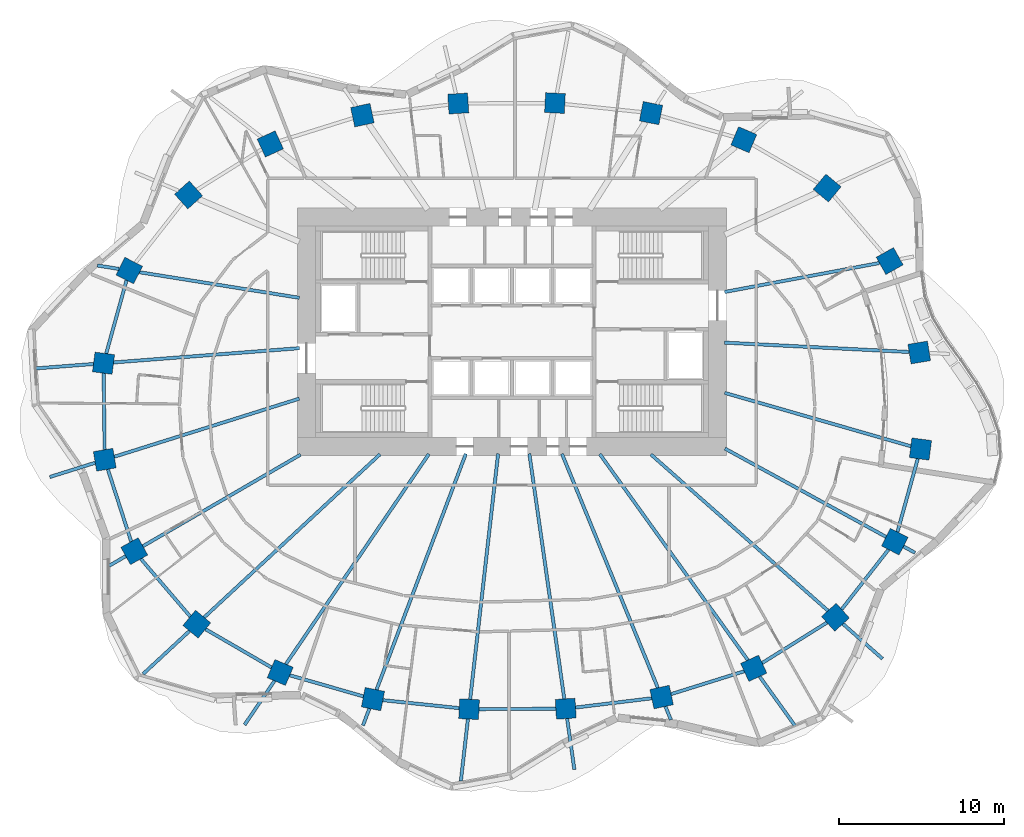
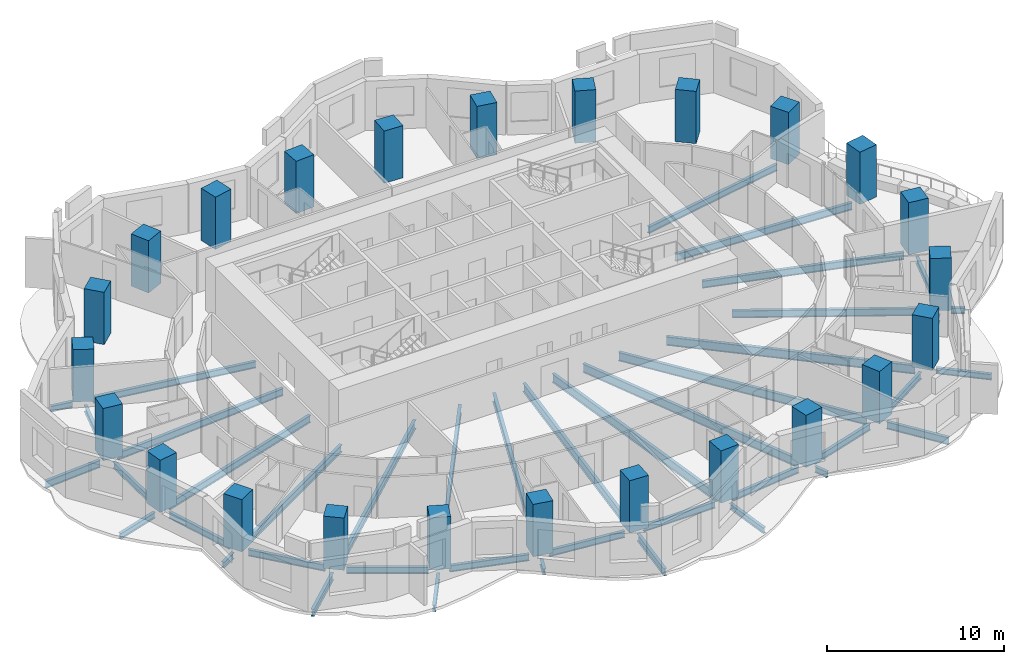
# One storey, part 1 of 13: 42 beams, 24 columns.
"""IFC4 building model written with IfcOpenShell, lengths in metres."""

from ifc_helpers import new_model, si_unit, direction, frame, origin, origin_2d, place, context, subcontext, project, spatial, rectangle, i_section, extrude, material, material_profile, profile_set, type_object, element, save


model = new_model("IFC4")

# Units and contexts
model_context = context("Model", 3, precision=1e-05, world=origin(), true_north=direction((0.0, 1.0)))
body_context = subcontext(model_context, "Body", "Model", "MODEL_VIEW")
ifc_project = project(units=[si_unit("LENGTHUNIT", "METRE"), si_unit("AREAUNIT", "SQUARE_METRE"), si_unit("VOLUMEUNIT", "CUBIC_METRE"), si_unit("PLANEANGLEUNIT", "RADIAN"), si_unit("MASSUNIT", "GRAM", prefix="KILO")], contexts=[model_context])

# Site, building, storey
site_placement = place(None, origin())
site = spatial("IfcSite", under=ifc_project, at=site_placement, CompositionType="ELEMENT")
building_placement = place(site_placement, origin())
building = spatial("IfcBuilding", under=site, at=building_placement, Name="Rubra Terraces Tower", CompositionType="ELEMENT")
storey_placement = place(building_placement, frame((0.0, 0.0, 85.199951171875)))
storey = spatial("IfcBuildingStorey", under=building, at=storey_placement, Name="L19", CompositionType="ELEMENT", Elevation=85.199951171875)

# Columns
ifc_material_1 = material(Name="Concrete C60", Category="concrete")
ifc_material_profile_1 = material_profile(ifc_material_1, rectangle(XDim=1.199951171875, YDim=1.199951171875, at=origin_2d()), Name="RC 1200x1200")
ifc_profile_set_1 = profile_set([ifc_material_profile_1], Name="Concrete C60")
column_type = type_object("IfcColumnType", Name="RING COLUMN RC 1200x1200 C60", PredefinedType="COLUMN", material=ifc_profile_set_1)
for number, where, z_axis, x_axis, name in (
    (1, (24.6689453125, 3.248046875, 0.0), (0.0, 0.0, 1.0), (-0.161559167715, 0.986863027642, 0.0), "column-L19-ring-01"),
    (2, (22.87890625, 8.787109375, 0.0), (0.0, 0.0, 1.0), (-0.48852601316, 0.872549330678, 0.0), "column-L19-ring-02"),
    (3, (19.092041015625, 13.208984375, 0.0), (0.0, 0.0, 1.0), (-0.76886986222, 0.63940529789, 0.0), "column-L19-ring-03"),
    (4, (14.0419921875, 16.135986328125, 0.0), (0.0, 0.0, 1.0), (-0.920167856842, 0.391524092789, 0.0), "column-L19-ring-04"),
    (5, (8.422119140625, 17.7490234375, 0.0), (0.0, 0.0, 1.0), (-0.981654668733, 0.19066754143, 0.0), "column-L19-ring-05"),
    (6, (2.60205078125, 18.35791015625, 0.0), (0.0, 0.0, 1.0), (-0.998764256028, 0.049698700995, 0.0), "column-L19-ring-06"),
    (7, (-3.25390625, 18.330078125, 0.0), (0.0, 0.0, 1.0), (-0.998031548759, -0.062713855578, 0.0), "column-L19-ring-07"),
    (8, (-9.06298828125, 17.625, 0.0), (0.0, 0.0, 1.0), (-0.977652674797, -0.210226657352, 0.0), "column-L19-ring-08"),
    (9, (-14.64306640625, 15.881103515625, 0.0), (0.0, 0.0, 1.0), (-0.908778580451, -0.417278673927, 0.0), "column-L19-ring-09"),
    (10, (-19.593017578125, 12.7900390625, 0.0), (0.0, 0.0, 1.0), (-0.744021317198, -0.668155879683, 0.0), "column-L19-ring-10"),
    (11, (-23.18505859375, 8.2099609375, 0.0), (0.0, 0.0, 1.0), (-0.451027931402, -0.892509834733, 0.0), "column-L19-ring-11"),
    (12, (-24.742919921875, 2.59912109375, 0.0), (0.0, 0.0, 1.0), (-0.128443684554, -0.991716804283, 0.0), "column-L19-ring-12"),
    (13, (-24.6689453125, -3.248046875, 0.0), (0.0, 0.0, 1.0), (0.161559167715, -0.986863027642, 0.0), "column-L19-ring-13"),
    (14, (-22.87890625, -8.787109375, 0.0), (0.0, 0.0, 1.0), (0.48852601316, -0.872549330678, 0.0), "column-L19-ring-14"),
    (15, (-19.092041015625, -13.208984375, 0.0), (0.0, 0.0, 1.0), (0.76886986222, -0.63940529789, 0.0), "column-L19-ring-15"),
    (16, (-14.0419921875, -16.135986328125, 0.0), (0.0, 0.0, 1.0), (0.920167856842, -0.391524092789, 0.0), "column-L19-ring-16"),
    (17, (-8.422119140625, -17.7490234375, 0.0), (0.0, 0.0, 1.0), (0.981654668733, -0.19066754143, 0.0), "column-L19-ring-17"),
    (18, (-2.60205078125, -18.35791015625, 0.0), (0.0, 0.0, 1.0), (0.998764256028, -0.049698700995, 0.0), "column-L19-ring-18"),
    (19, (3.25390625, -18.330078125, 0.0), (0.0, 0.0, 1.0), (0.998031548759, 0.062713855578, 0.0), "column-L19-ring-19"),
    (20, (9.06298828125, -17.625, 0.0), (0.0, 0.0, 1.0), (0.977652674797, 0.210226657352, 0.0), "column-L19-ring-20"),
    (21, (14.64306640625, -15.881103515625, 0.0), (0.0, 0.0, 1.0), (0.908778580451, 0.417278673927, 0.0), "column-L19-ring-21"),
    (22, (19.593017578125, -12.7900390625, 0.0), (0.0, 0.0, 1.0), (0.744021317198, 0.668155879683, 0.0), "column-L19-ring-22"),
    (23, (23.18505859375, -8.2099609375, 0.0), (0.0, 0.0, 1.0), (0.451027931402, 0.892509834733, 0.0), "column-L19-ring-23"),
    (24, (24.742919921875, -2.59912109375, 0.0), (0.0, 0.0, 1.0), (0.128443684554, 0.991716804283, 0.0), "column-L19-ring-24"),
):
    element("IfcColumn", number, at=place(storey_placement, frame(where, z_axis=z_axis, x_axis=x_axis)), inside=storey, type_object=column_type, Name=name, PredefinedType="COLUMN", context=body_context, shape_type="SweptSolid", body=[
        extrude(rectangle(XDim=1.199951171875, YDim=1.199951171875, at=origin_2d()), origin(), (0.0, 0.0, 1.0), 3.60009765625),
    ])

# Beams
ifc_material_2 = material(Name="Steel Q355B", Category="steel")
ifc_material_profile_2 = material_profile(ifc_material_2, i_section(OverallWidth=0.199951171875, OverallDepth=0.39990234375, WebThickness=0.008056640625, FlangeThickness=0.012939453125, at=origin_2d()), Name="HN 400x200x8x13")
ifc_profile_set_2 = profile_set([ifc_material_profile_2], Name="Steel Q355B")
beam_type_1 = type_object("IfcBeamType", Name="CANTILEVER BEAM HN 400x200x8x13", PredefinedType="BEAM", material=ifc_profile_set_2)
beam_1_placement = place(storey_placement, frame((-25.2470703125, -3.429931640625, -0.39990234375), z_axis=(-0.954045543107, -0.299661645322, 0.0), x_axis=(0.299661645322, -0.954045543107, 0.0)))
element("IfcBeam", 25, at=beam_1_placement, inside=storey, type_object=beam_type_1, Name="beam-L19-cant-13", PredefinedType="BEAM", context=body_context, shape_type="SweptSolid", body=[
    extrude(i_section(OverallWidth=0.199951171875, OverallDepth=0.39990234375, WebThickness=0.008056640625, FlangeThickness=0.012939453125, at=origin_2d()), origin(), (0.0, 0.0, 1.0), 2.886474609375),
])
beam_2_placement = place(storey_placement, frame((3.339111328125, -18.926025390625, -0.39990234375), z_axis=(0.141004134559, -0.990009007049, 0.0), x_axis=(0.990009007049, 0.141004134559, 0.0)))
element("IfcBeam", 26, at=beam_2_placement, inside=storey, type_object=beam_type_1, Name="beam-L19-cant-19", PredefinedType="BEAM", context=body_context, shape_type="SweptSolid", body=[
    extrude(i_section(OverallWidth=0.199951171875, OverallDepth=0.39990234375, WebThickness=0.008056640625, FlangeThickness=0.012939453125, at=origin_2d()), origin(), (0.0, 0.0, 1.0), 3.113037109375),
])
beam_3_placement = place(storey_placement, frame((20.0458984375, -13.18994140625, -0.39990234375), z_axis=(0.749889181916, -0.661563462447, 0.0), x_axis=(0.661563462447, 0.749889181916, 0.0)))
element("IfcBeam", 27, at=beam_3_placement, inside=storey, type_object=beam_type_1, Name="beam-L19-cant-22", PredefinedType="BEAM", context=body_context, shape_type="SweptSolid", body=[
    extrude(i_section(OverallWidth=0.199951171875, OverallDepth=0.39990234375, WebThickness=0.008056640625, FlangeThickness=0.012939453125, at=origin_2d()), origin(), (0.0, 0.0, 1.0), 3.192626953125),
])
ifc_material_profile_3 = material_profile(ifc_material_2, i_section(OverallWidth=0.198974609375, OverallDepth=0.446044921875, WebThickness=0.008056640625, FlangeThickness=0.011962890625, at=origin_2d()), Name="HN 446x199x8x12")
ifc_profile_set_3 = profile_set([ifc_material_profile_3], Name="Steel Q355B")
beam_type_2 = type_object("IfcBeamType", Name="CANTILEVER BEAM HN 446x199x8x12", PredefinedType="BEAM", material=ifc_profile_set_3)
beam_4_placement = place(storey_placement, frame((-14.385986328125, -16.64208984375, -0.4228515625), z_axis=(-0.562581591021, -0.826741769505, 0.0), x_axis=(0.826741769505, -0.562581591021, 0.0)))
element("IfcBeam", 28, at=beam_4_placement, inside=storey, type_object=beam_type_2, Name="beam-L19-cant-16", PredefinedType="BEAM", context=body_context, shape_type="SweptSolid", body=[
    extrude(i_section(OverallWidth=0.198974609375, OverallDepth=0.446044921875, WebThickness=0.008056640625, FlangeThickness=0.011962890625, at=origin_2d()), origin(), (0.0, 0.0, 1.0), 3.220947265625),
])
ifc_material_profile_4 = material_profile(ifc_material_2, i_section(OverallWidth=0.198974609375, OverallDepth=0.49609375, WebThickness=0.009033203125, FlangeThickness=0.013916015625, at=origin_2d()), Name="HN 496x199x9x14")
ifc_profile_set_4 = profile_set([ifc_material_profile_4], Name="Steel Q355B")
beam_type_3 = type_object("IfcBeamType", Name="CANTILEVER BEAM HN 496x199x9x14", PredefinedType="BEAM", material=ifc_profile_set_4)
beam_5_placement = place(storey_placement, frame((-25.35400390625, 2.552001953125, -0.447998046875), z_axis=(-0.997073018081, -0.076455193514, 0.0), x_axis=(0.076455193514, -0.997073018081, 0.0)))
element("IfcBeam", 29, at=beam_5_placement, inside=storey, type_object=beam_type_3, Name="beam-L19-cant-12", PredefinedType="BEAM", context=body_context, shape_type="SweptSolid", body=[
    extrude(i_section(OverallWidth=0.198974609375, OverallDepth=0.49609375, WebThickness=0.009033203125, FlangeThickness=0.013916015625, at=origin_2d()), origin(), (0.0, 0.0, 1.0), 3.7138671875),
])
beam_6_placement = place(storey_placement, frame((-19.535888671875, -13.6201171875, -0.447998046875), z_axis=(-0.733193505832, -0.680020060737, 0.0), x_axis=(0.680020060737, -0.733193505832, 0.0)))
element("IfcBeam", 30, at=beam_6_placement, inside=storey, type_object=beam_type_3, Name="beam-L19-cant-15", PredefinedType="BEAM", context=body_context, shape_type="SweptSolid", body=[
    extrude(i_section(OverallWidth=0.198974609375, OverallDepth=0.49609375, WebThickness=0.009033203125, FlangeThickness=0.013916015625, at=origin_2d()), origin(), (0.0, 0.0, 1.0), 3.82470703125),
])
beam_7_placement = place(storey_placement, frame((-2.669921875, -18.955078125, -0.447998046875), z_axis=(-0.113077962059, -0.993586118309, 0.0), x_axis=(0.993586118309, -0.113077962059, 0.0)))
element("IfcBeam", 31, at=beam_7_placement, inside=storey, type_object=beam_type_3, Name="beam-L19-cant-18", PredefinedType="BEAM", context=body_context, shape_type="SweptSolid", body=[
    extrude(i_section(OverallWidth=0.198974609375, OverallDepth=0.49609375, WebThickness=0.009033203125, FlangeThickness=0.013916015625, at=origin_2d()), origin(), (0.0, 0.0, 1.0), 3.776123046875),
])
beam_8_placement = place(storey_placement, frame((15.0, -16.376953125, -0.447998046875), z_axis=(0.583285233982, -0.812267404134, 0.0), x_axis=(0.812267404134, 0.583285233982, 0.0)))
element("IfcBeam", 32, at=beam_8_placement, inside=storey, type_object=beam_type_3, Name="beam-L19-cant-21", PredefinedType="BEAM", context=body_context, shape_type="SweptSolid", body=[
    extrude(i_section(OverallWidth=0.198974609375, OverallDepth=0.49609375, WebThickness=0.009033203125, FlangeThickness=0.013916015625, at=origin_2d()), origin(), (0.0, 0.0, 1.0), 3.84375),
])
ifc_material_profile_5 = material_profile(ifc_material_2, i_section(OverallWidth=0.199951171875, OverallDepth=0.39990234375, WebThickness=0.008056640625, FlangeThickness=0.012939453125, at=origin_2d()), Name="HN 400x200x8x13")
ifc_profile_set_5 = profile_set([ifc_material_profile_5], Name="Steel Q355B")
beam_type_4 = type_object("IfcBeamType", Name="CANTILEVER STUB HN 400x200x8x13", PredefinedType="BEAM", material=ifc_profile_set_5)
beam_9_placement = place(storey_placement, frame((-23.806884765625, 8.31005859375, -0.39990234375), z_axis=(-0.987550478901, 0.157302420904, 0.0), x_axis=(-0.157302420904, -0.987550478901, 0.0)))
element("IfcBeam", 33, at=beam_9_placement, inside=storey, type_object=beam_type_4, Name="beam-L19-cant-11", PredefinedType="BEAM", context=body_context, shape_type="SweptSolid", body=[
    extrude(i_section(OverallWidth=0.199951171875, OverallDepth=0.39990234375, WebThickness=0.008056640625, FlangeThickness=0.012939453125, at=origin_2d()), origin(), (0.0, 0.0, 1.0), 1.32861328125),
])
beam_10_placement = place(storey_placement, frame((-23.39794921875, -9.087890625, -0.39990234375), z_axis=(-0.864635145256, -0.502400304128, 0.0), x_axis=(0.502400304128, -0.864635145256, 0.0)))
element("IfcBeam", 34, at=beam_10_placement, inside=storey, type_object=beam_type_4, Name="beam-L19-cant-14", PredefinedType="BEAM", context=body_context, shape_type="SweptSolid", body=[
    extrude(i_section(OverallWidth=0.199951171875, OverallDepth=0.39990234375, WebThickness=0.008056640625, FlangeThickness=0.012939453125, at=origin_2d()), origin(), (0.0, 0.0, 1.0), 1.156494140625),
])
beam_11_placement = place(storey_placement, frame((-8.637939453125, -18.318115234375, -0.39990234375), z_axis=(-0.353797640274, -0.935321992544, 0.0), x_axis=(0.935321992544, -0.353797640274, 0.0)))
element("IfcBeam", 35, at=beam_11_placement, inside=storey, type_object=beam_type_4, Name="beam-L19-cant-17", PredefinedType="BEAM", context=body_context, shape_type="SweptSolid", body=[
    extrude(i_section(OverallWidth=0.199951171875, OverallDepth=0.39990234375, WebThickness=0.008056640625, FlangeThickness=0.012939453125, at=origin_2d()), origin(), (0.0, 0.0, 1.0), 1.099853515625),
])
beam_12_placement = place(storey_placement, frame((9.2939453125, -18.18896484375, -0.39990234375), z_axis=(0.378654464485, -0.925538111871, 0.0), x_axis=(0.925538111871, 0.378654464485, 0.0)))
element("IfcBeam", 36, at=beam_12_placement, inside=storey, type_object=beam_type_4, Name="beam-L19-cant-20", PredefinedType="BEAM", context=body_context, shape_type="SweptSolid", body=[
    extrude(i_section(OverallWidth=0.199951171875, OverallDepth=0.39990234375, WebThickness=0.008056640625, FlangeThickness=0.012939453125, at=origin_2d()), origin(), (0.0, 0.0, 1.0), 0.87939453125),
])
beam_13_placement = place(storey_placement, frame((23.7109375, -8.4990234375, -0.39990234375), z_axis=(0.877065634334, -0.48037055808, 0.0), x_axis=(0.48037055808, 0.877065634334, 0.0)))
element("IfcBeam", 37, at=beam_13_placement, inside=storey, type_object=beam_type_4, Name="beam-L19-cant-23", PredefinedType="BEAM", context=body_context, shape_type="SweptSolid", body=[
    extrude(i_section(OverallWidth=0.199951171875, OverallDepth=0.39990234375, WebThickness=0.008056640625, FlangeThickness=0.012939453125, at=origin_2d()), origin(), (0.0, 0.0, 1.0), 0.799560546875),
])
ifc_material_profile_6 = material_profile(ifc_material_2, i_section(OverallWidth=0.198974609375, OverallDepth=0.446044921875, WebThickness=0.008056640625, FlangeThickness=0.011962890625, at=origin_2d()), Name="HN 446x199x8x12")
ifc_profile_set_6 = profile_set([ifc_material_profile_6], Name="Steel Q355B")
beam_type_5 = type_object("IfcBeamType", Name="FLOOR BEAM HN 446x199x8x12", PredefinedType="BEAM", material=ifc_profile_set_6)
beam_14_placement = place(storey_placement, frame((22.257080078125, 8.669921875, -0.4228515625), z_axis=(-0.982909257943, -0.184090713102, 0.0), x_axis=(0.184090713102, -0.982909257943, 0.0)))
element("IfcBeam", 38, at=beam_14_placement, inside=storey, type_object=beam_type_5, Name="beam-L19-floor-02", PredefinedType="BEAM", context=body_context, shape_type="SweptSolid", body=[
    extrude(i_section(OverallWidth=0.198974609375, OverallDepth=0.446044921875, WebThickness=0.008056640625, FlangeThickness=0.011962890625, at=origin_2d()), origin(), (0.0, 0.0, 1.0), 9.5380859375),
])
beam_15_placement = place(storey_placement, frame((-22.56298828125, 8.110107421875, -0.4228515625), z_axis=(0.987438611706, -0.158003126908, 0.0), x_axis=(0.158003126908, 0.987438611706, 0.0)))
element("IfcBeam", 39, at=beam_15_placement, inside=storey, type_object=beam_type_5, Name="beam-L19-floor-11", PredefinedType="BEAM", context=body_context, shape_type="SweptSolid", body=[
    extrude(i_section(OverallWidth=0.198974609375, OverallDepth=0.446044921875, WebThickness=0.008056640625, FlangeThickness=0.011962890625, at=origin_2d()), origin(), (0.0, 0.0, 1.0), 9.803955078125),
])
ifc_material_profile_7 = material_profile(ifc_material_2, i_section(OverallWidth=0.198974609375, OverallDepth=0.49609375, WebThickness=0.009033203125, FlangeThickness=0.013916015625, at=origin_2d()), Name="HN 496x199x9x14")
ifc_profile_set_7 = profile_set([ifc_material_profile_7], Name="Steel Q355B")
beam_type_6 = type_object("IfcBeamType", Name="FLOOR BEAM HN 496x199x9x14", PredefinedType="BEAM", material=ifc_profile_set_7)
beam_16_placement = place(storey_placement, frame((24.055908203125, 3.279052734375, -0.447998046875), z_axis=(-0.998716006853, 0.050659033312, 0.0), x_axis=(-0.050659033312, -0.998716006853, 0.0)))
element("IfcBeam", 40, at=beam_16_placement, inside=storey, type_object=beam_type_6, Name="beam-L19-floor-01", PredefinedType="BEAM", context=body_context, shape_type="SweptSolid", body=[
    extrude(i_section(OverallWidth=0.198974609375, OverallDepth=0.49609375, WebThickness=0.009033203125, FlangeThickness=0.013916015625, at=origin_2d()), origin(), (0.0, 0.0, 1.0), 11.1904296875),
])
beam_17_placement = place(storey_placement, frame((-24.132080078125, 2.64599609375, -0.447998046875), z_axis=(0.99706491124, 0.076560843604, 0.0), x_axis=(-0.076560843604, 0.99706491124, 0.0)))
element("IfcBeam", 41, at=beam_17_placement, inside=storey, type_object=beam_type_6, Name="beam-L19-floor-12", PredefinedType="BEAM", context=body_context, shape_type="SweptSolid", body=[
    extrude(i_section(OverallWidth=0.198974609375, OverallDepth=0.49609375, WebThickness=0.009033203125, FlangeThickness=0.013916015625, at=origin_2d()), origin(), (0.0, 0.0, 1.0), 11.285400390625),
])
beam_18_placement = place(storey_placement, frame((-24.091064453125, -3.06591796875, -0.447998046875), z_axis=(0.954061815263, 0.299609834046, 0.0), x_axis=(-0.299609834046, 0.954061815263, 0.0)))
element("IfcBeam", 42, at=beam_18_placement, inside=storey, type_object=beam_type_6, Name="beam-L19-floor-13", PredefinedType="BEAM", context=body_context, shape_type="SweptSolid", body=[
    extrude(i_section(OverallWidth=0.198974609375, OverallDepth=0.49609375, WebThickness=0.009033203125, FlangeThickness=0.013916015625, at=origin_2d()), origin(), (0.0, 0.0, 1.0), 11.74462890625),
])
beam_19_placement = place(storey_placement, frame((-22.360107421875, -8.486083984375, -0.447998046875), z_axis=(0.864729170152, 0.502238451623, 0.0), x_axis=(-0.502238451623, 0.864729170152, 0.0)))
element("IfcBeam", 43, at=beam_19_placement, inside=storey, type_object=beam_type_6, Name="beam-L19-floor-14", PredefinedType="BEAM", context=body_context, shape_type="SweptSolid", body=[
    extrude(i_section(OverallWidth=0.198974609375, OverallDepth=0.49609375, WebThickness=0.009033203125, FlangeThickness=0.013916015625, at=origin_2d()), origin(), (0.0, 0.0, 1.0), 11.04296875),
])
beam_20_placement = place(storey_placement, frame((22.658935546875, -7.9208984375, -0.447998046875), z_axis=(-0.876910796921, 0.480653153785, 0.0), x_axis=(-0.480653153785, -0.876910796921, 0.0)))
element("IfcBeam", 44, at=beam_20_placement, inside=storey, type_object=beam_type_6, Name="beam-L19-floor-23", PredefinedType="BEAM", context=body_context, shape_type="SweptSolid", body=[
    extrude(i_section(OverallWidth=0.198974609375, OverallDepth=0.49609375, WebThickness=0.009033203125, FlangeThickness=0.013916015625, at=origin_2d()), origin(), (0.0, 0.0, 1.0), 11.134521484375),
])
beam_21_placement = place(storey_placement, frame((24.159912109375, -2.431884765625, -0.447998046875), z_axis=(-0.9612201884, 0.275782068691, 0.0), x_axis=(-0.275782068691, -0.9612201884, 0.0)))
element("IfcBeam", 45, at=beam_21_placement, inside=storey, type_object=beam_type_6, Name="beam-L19-floor-24", PredefinedType="BEAM", context=body_context, shape_type="SweptSolid", body=[
    extrude(i_section(OverallWidth=0.198974609375, OverallDepth=0.49609375, WebThickness=0.009033203125, FlangeThickness=0.013916015625, at=origin_2d()), origin(), (0.0, 0.0, 1.0), 11.729736328125),
])
ifc_material_profile_8 = material_profile(ifc_material_2, i_section(OverallWidth=0.198974609375, OverallDepth=0.595947265625, WebThickness=0.010009765625, FlangeThickness=0.014892578125, at=origin_2d()), Name="HN 596x199x10x15")
ifc_profile_set_8 = profile_set([ifc_material_profile_8], Name="Steel Q355B")
beam_type_7 = type_object("IfcBeamType", Name="FLOOR BEAM HN 596x199x10x15", PredefinedType="BEAM", material=ifc_profile_set_8)
beam_22_placement = place(storey_placement, frame((-18.64794921875, -12.798095703125, -0.498046875), z_axis=(0.733104668463, 0.680115832104, 0.0), x_axis=(-0.680115832104, 0.733104668463, 0.0)))
element("IfcBeam", 46, at=beam_22_placement, inside=storey, type_object=beam_type_7, Name="beam-L19-floor-15", PredefinedType="BEAM", context=body_context, shape_type="SweptSolid", body=[
    extrude(i_section(OverallWidth=0.198974609375, OverallDepth=0.595947265625, WebThickness=0.010009765625, FlangeThickness=0.014892578125, at=origin_2d()), origin(), (0.0, 0.0, 1.0), 14.527099609375),
])
beam_23_placement = place(storey_placement, frame((-13.697998046875, -15.6298828125, -0.498046875), z_axis=(0.562593638313, 0.82673357143, 0.0), x_axis=(-0.82673357143, 0.562593638313, 0.0)))
element("IfcBeam", 47, at=beam_23_placement, inside=storey, type_object=beam_type_7, Name="beam-L19-floor-16", PredefinedType="BEAM", context=body_context, shape_type="SweptSolid", body=[
    extrude(i_section(OverallWidth=0.198974609375, OverallDepth=0.595947265625, WebThickness=0.010009765625, FlangeThickness=0.014892578125, at=origin_2d()), origin(), (0.0, 0.0, 1.0), 15.396728515625),
])
beam_24_placement = place(storey_placement, frame((-8.2060546875, -17.179931640625, -0.498046875), z_axis=(0.35395819717, 0.935261244068, 0.0), x_axis=(-0.935261244068, 0.35395819717, 0.0)))
element("IfcBeam", 48, at=beam_24_placement, inside=storey, type_object=beam_type_7, Name="beam-L19-floor-17", PredefinedType="BEAM", context=body_context, shape_type="SweptSolid", body=[
    extrude(i_section(OverallWidth=0.198974609375, OverallDepth=0.595947265625, WebThickness=0.010009765625, FlangeThickness=0.014892578125, at=origin_2d()), origin(), (0.0, 0.0, 1.0), 15.28125),
])
beam_25_placement = place(storey_placement, frame((-2.533935546875, -17.760986328125, -0.498046875), z_axis=(0.113104280783, 0.993583122677, 0.0), x_axis=(-0.993583122677, 0.113104280783, 0.0)))
element("IfcBeam", 49, at=beam_25_placement, inside=storey, type_object=beam_type_7, Name="beam-L19-floor-18", PredefinedType="BEAM", context=body_context, shape_type="SweptSolid", body=[
    extrude(i_section(OverallWidth=0.198974609375, OverallDepth=0.595947265625, WebThickness=0.010009765625, FlangeThickness=0.014892578125, at=origin_2d()), origin(), (0.0, 0.0, 1.0), 14.97607421875),
])
beam_26_placement = place(storey_placement, frame((3.1689453125, -17.73388671875, -0.498046875), z_axis=(-0.141102399867, 0.989995006428, 0.0), x_axis=(-0.989995006428, -0.141102399867, 0.0)))
element("IfcBeam", 50, at=beam_26_placement, inside=storey, type_object=beam_type_7, Name="beam-L19-floor-19", PredefinedType="BEAM", context=body_context, shape_type="SweptSolid", body=[
    extrude(i_section(OverallWidth=0.198974609375, OverallDepth=0.595947265625, WebThickness=0.010009765625, FlangeThickness=0.014892578125, at=origin_2d()), origin(), (0.0, 0.0, 1.0), 15.0029296875),
])
beam_27_placement = place(storey_placement, frame((8.83203125, -17.06103515625, -0.498046875), z_axis=(-0.379038143634, 0.925381048904, 0.0), x_axis=(-0.925381048904, -0.379038143634, 0.0)))
element("IfcBeam", 51, at=beam_27_placement, inside=storey, type_object=beam_type_7, Name="beam-L19-floor-20", PredefinedType="BEAM", context=body_context, shape_type="SweptSolid", body=[
    extrude(i_section(OverallWidth=0.198974609375, OverallDepth=0.595947265625, WebThickness=0.010009765625, FlangeThickness=0.014892578125, at=origin_2d()), origin(), (0.0, 0.0, 1.0), 15.31494140625),
])
beam_28_placement = place(storey_placement, frame((14.285888671875, -15.385009765625, -0.498046875), z_axis=(-0.583480892091, 0.812126867284, 0.0), x_axis=(-0.812126867284, -0.583480892091, 0.0)))
element("IfcBeam", 52, at=beam_28_placement, inside=storey, type_object=beam_type_7, Name="beam-L19-floor-21", PredefinedType="BEAM", context=body_context, shape_type="SweptSolid", body=[
    extrude(i_section(OverallWidth=0.198974609375, OverallDepth=0.595947265625, WebThickness=0.010009765625, FlangeThickness=0.014892578125, at=origin_2d()), origin(), (0.0, 0.0, 1.0), 15.369384765625),
])
beam_29_placement = place(storey_placement, frame((19.139892578125, -12.389892578125, -0.498046875), z_axis=(-0.749820430817, 0.661641384384, 0.0), x_axis=(-0.661641384384, -0.749820430817, 0.0)))
element("IfcBeam", 53, at=beam_29_placement, inside=storey, type_object=beam_type_7, Name="beam-L19-floor-22", PredefinedType="BEAM", context=body_context, shape_type="SweptSolid", body=[
    extrude(i_section(OverallWidth=0.198974609375, OverallDepth=0.595947265625, WebThickness=0.010009765625, FlangeThickness=0.014892578125, at=origin_2d()), origin(), (0.0, 0.0, 1.0), 14.311279296875),
])
ifc_material_profile_9 = material_profile(ifc_material_2, i_section(OverallWidth=0.198974609375, OverallDepth=0.446044921875, WebThickness=0.008056640625, FlangeThickness=0.011962890625, at=origin_2d()), Name="HN 446x199x8x12")
ifc_profile_set_9 = profile_set([ifc_material_profile_9], Name="Steel Q355B")
beam_type_8 = type_object("IfcBeamType", Name="SPANDREL BEAM HN 446x199x8x12", PredefinedType="SPANDREL", material=ifc_profile_set_9)
beam_30_placement = place(storey_placement, frame((-23.34912109375, 7.6201171875, -0.4228515625), z_axis=(-0.26752901479, -0.963549804756, 0.0), x_axis=(0.963549804756, -0.26752901479, 0.0)))
element("IfcBeam", 54, at=beam_30_placement, inside=storey, type_object=beam_type_8, Name="beam-L19-spandrel-11", PredefinedType="SPANDREL", context=body_context, shape_type="SweptSolid", body=[
    extrude(i_section(OverallWidth=0.198974609375, OverallDepth=0.446044921875, WebThickness=0.008056640625, FlangeThickness=0.011962890625, at=origin_2d()), origin(), (0.0, 0.0, 1.0), 4.60498046875),
])
beam_31_placement = place(storey_placement, frame((-24.735107421875, 1.992919921875, -0.4228515625), z_axis=(0.012537869063, -0.999921397831, 0.0), x_axis=(0.999921397831, 0.012537869063, 0.0)))
element("IfcBeam", 55, at=beam_31_placement, inside=storey, type_object=beam_type_8, Name="beam-L19-spandrel-12", PredefinedType="SPANDREL", context=body_context, shape_type="SweptSolid", body=[
    extrude(i_section(OverallWidth=0.198974609375, OverallDepth=0.446044921875, WebThickness=0.008056640625, FlangeThickness=0.011962890625, at=origin_2d()), origin(), (0.0, 0.0, 1.0), 4.63427734375),
])
beam_32_placement = place(storey_placement, frame((-24.48193359375, -3.824951171875, -0.4228515625), z_axis=(0.307414966872, -0.951575555667, 0.0), x_axis=(0.951575555667, 0.307414966872, 0.0)))
element("IfcBeam", 56, at=beam_32_placement, inside=storey, type_object=beam_type_8, Name="beam-L19-spandrel-13", PredefinedType="SPANDREL", context=body_context, shape_type="SweptSolid", body=[
    extrude(i_section(OverallWidth=0.198974609375, OverallDepth=0.446044921875, WebThickness=0.008056640625, FlangeThickness=0.011962890625, at=origin_2d()), origin(), (0.0, 0.0, 1.0), 4.60302734375),
])
beam_33_placement = place(storey_placement, frame((-22.48095703125, -9.251953125, -0.4228515625), z_axis=(0.650428637413, -0.759567368726, 0.0), x_axis=(0.759567368726, 0.650428637413, 0.0)))
element("IfcBeam", 57, at=beam_33_placement, inside=storey, type_object=beam_type_8, Name="beam-L19-spandrel-14", PredefinedType="SPANDREL", context=body_context, shape_type="SweptSolid", body=[
    extrude(i_section(OverallWidth=0.198974609375, OverallDepth=0.446044921875, WebThickness=0.008056640625, FlangeThickness=0.011962890625, at=origin_2d()), origin(), (0.0, 0.0, 1.0), 4.6015625),
])
beam_34_placement = place(storey_placement, frame((-18.56494140625, -13.513916015625, -0.4228515625), z_axis=(0.865116425734, -0.501571101565, 0.0), x_axis=(0.501571101565, 0.865116425734, 0.0)))
element("IfcBeam", 58, at=beam_34_placement, inside=storey, type_object=beam_type_8, Name="beam-L19-spandrel-15", PredefinedType="SPANDREL", context=body_context, shape_type="SweptSolid", body=[
    extrude(i_section(OverallWidth=0.198974609375, OverallDepth=0.446044921875, WebThickness=0.008056640625, FlangeThickness=0.011962890625, at=origin_2d()), origin(), (0.0, 0.0, 1.0), 4.62353515625),
])
beam_35_placement = place(storey_placement, frame((-13.4609375, -16.302978515625, -0.4228515625), z_axis=(0.961195652649, -0.275867572085, 0.0), x_axis=(0.275867572085, 0.961195652649, 0.0)))
element("IfcBeam", 59, at=beam_35_placement, inside=storey, type_object=beam_type_8, Name="beam-L19-spandrel-16", PredefinedType="SPANDREL", context=body_context, shape_type="SweptSolid", body=[
    extrude(i_section(OverallWidth=0.198974609375, OverallDepth=0.446044921875, WebThickness=0.008056640625, FlangeThickness=0.011962890625, at=origin_2d()), origin(), (0.0, 0.0, 1.0), 4.639892578125),
])
beam_36_placement = place(storey_placement, frame((-7.822998046875, -17.81201171875, -0.4228515625), z_axis=(0.994588599148, -0.103891859374, 0.0), x_axis=(0.103891859374, 0.994588599148, 0.0)))
element("IfcBeam", 60, at=beam_36_placement, inside=storey, type_object=beam_type_8, Name="beam-L19-spandrel-17", PredefinedType="SPANDREL", context=body_context, shape_type="SweptSolid", body=[
    extrude(i_section(OverallWidth=0.198974609375, OverallDepth=0.446044921875, WebThickness=0.008056640625, FlangeThickness=0.011962890625, at=origin_2d()), origin(), (0.0, 0.0, 1.0), 4.648193359375),
])
beam_37_placement = place(storey_placement, frame((-2.0009765625, -18.35498046875, -0.4228515625), z_axis=(0.99998885538, 0.004721135025, 0.0), x_axis=(-0.004721135025, 0.99998885538, 0.0)))
element("IfcBeam", 61, at=beam_37_placement, inside=storey, type_object=beam_type_8, Name="beam-L19-spandrel-18", PredefinedType="SPANDREL", context=body_context, shape_type="SweptSolid", body=[
    extrude(i_section(OverallWidth=0.198974609375, OverallDepth=0.446044921875, WebThickness=0.008056640625, FlangeThickness=0.011962890625, at=origin_2d()), origin(), (0.0, 0.0, 1.0), 4.654052734375),
])
beam_38_placement = place(storey_placement, frame((3.85107421875, -18.258056640625, -0.4228515625), z_axis=(0.992713612833, 0.120497646851, 0.0), x_axis=(-0.120497646851, 0.992713612833, 0.0)))
element("IfcBeam", 62, at=beam_38_placement, inside=storey, type_object=beam_type_8, Name="beam-L19-spandrel-19", PredefinedType="SPANDREL", context=body_context, shape_type="SweptSolid", body=[
    extrude(i_section(OverallWidth=0.198974609375, OverallDepth=0.446044921875, WebThickness=0.008056640625, FlangeThickness=0.011962890625, at=origin_2d()), origin(), (0.0, 0.0, 1.0), 4.64794921875),
])
beam_39_placement = place(storey_placement, frame((9.637939453125, -17.445068359375, -0.4228515625), z_axis=(0.954462184919, 0.298331925142, 0.0), x_axis=(-0.298331925142, 0.954462184919, 0.0)))
element("IfcBeam", 63, at=beam_39_placement, inside=storey, type_object=beam_type_8, Name="beam-L19-spandrel-20", PredefinedType="SPANDREL", context=body_context, shape_type="SweptSolid", body=[
    extrude(i_section(OverallWidth=0.198974609375, OverallDepth=0.446044921875, WebThickness=0.008056640625, FlangeThickness=0.011962890625, at=origin_2d()), origin(), (0.0, 0.0, 1.0), 4.63916015625),
])
beam_40_placement = place(storey_placement, frame((15.156005859375, -15.56103515625, -0.4228515625), z_axis=(0.848188188849, 0.529695003089, 0.0), x_axis=(-0.529695003089, 0.848188188849, 0.0)))
element("IfcBeam", 64, at=beam_40_placement, inside=storey, type_object=beam_type_8, Name="beam-L19-spandrel-21", PredefinedType="SPANDREL", context=body_context, shape_type="SweptSolid", body=[
    extrude(i_section(OverallWidth=0.198974609375, OverallDepth=0.446044921875, WebThickness=0.008056640625, FlangeThickness=0.011962890625, at=origin_2d()), origin(), (0.0, 0.0, 1.0), 4.62158203125),
])
beam_41_placement = place(storey_placement, frame((19.968994140625, -12.31103515625, -0.4228515625), z_axis=(0.61694919408, 0.787002980886, 0.0), x_axis=(-0.787002980886, 0.61694919408, 0.0)))
element("IfcBeam", 65, at=beam_41_placement, inside=storey, type_object=beam_type_8, Name="beam-L19-spandrel-22", PredefinedType="SPANDREL", context=body_context, shape_type="SweptSolid", body=[
    extrude(i_section(OverallWidth=0.198974609375, OverallDepth=0.446044921875, WebThickness=0.008056640625, FlangeThickness=0.011962890625, at=origin_2d()), origin(), (0.0, 0.0, 1.0), 4.599853515625),
])
beam_42_placement = place(storey_placement, frame((23.34912109375, -7.6201171875, -0.4228515625), z_axis=(0.26752901479, 0.963549804756, 0.0), x_axis=(-0.963549804756, 0.26752901479, 0.0)))
element("IfcBeam", 66, at=beam_42_placement, inside=storey, type_object=beam_type_8, Name="beam-L19-spandrel-23", PredefinedType="SPANDREL", context=body_context, shape_type="SweptSolid", body=[
    extrude(i_section(OverallWidth=0.198974609375, OverallDepth=0.446044921875, WebThickness=0.008056640625, FlangeThickness=0.011962890625, at=origin_2d()), origin(), (0.0, 0.0, 1.0), 4.60498046875),
])

save(model, "model.ifc")
